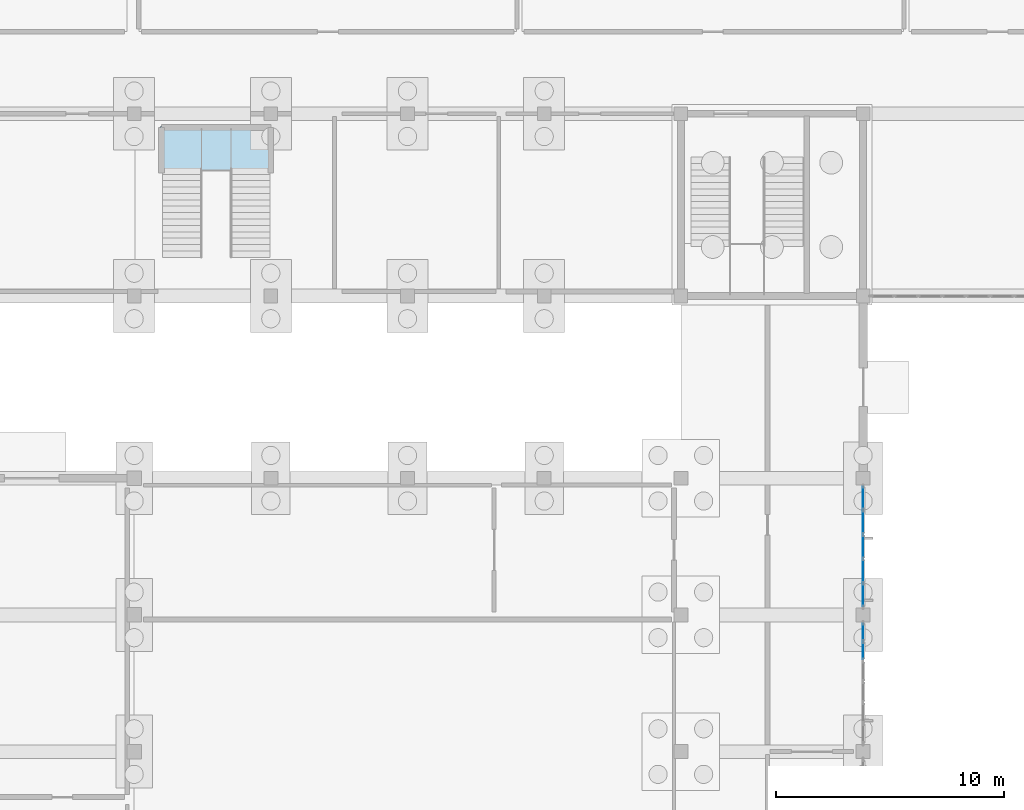
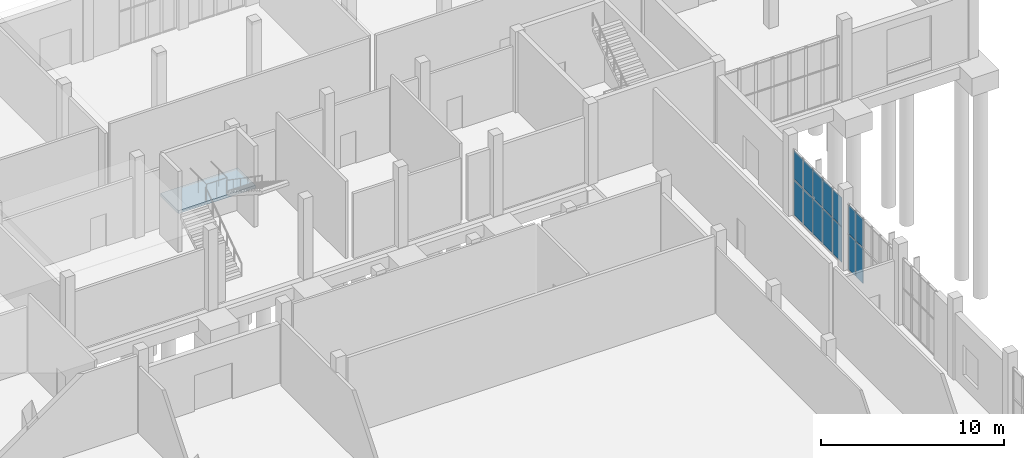
# One storey, part 36 of 69: 14 plates, 1 slab, 3 elements without a shape of their own.
"""IFC4 building model written with IfcOpenShell, lengths in metres."""

from ifc_helpers import new_model, si_unit, direction, frame, origin, origin_2d, place, context, subcontext, project, spatial, polyline, rectangle, outline, extrude, material, layer, layer_set, type_object, element, aggregate, save


model = new_model("IFC4")

# Units and contexts
model_context = context("Model", 3, precision=1e-05, world=origin(), true_north=direction((0.0, 1.0)))
body_context = subcontext(model_context, "Body", "Model", "MODEL_VIEW")
ifc_project = project(units=[si_unit("LENGTHUNIT", "METRE"), si_unit("AREAUNIT", "SQUARE_METRE"), si_unit("VOLUMEUNIT", "CUBIC_METRE"), si_unit("PLANEANGLEUNIT", "RADIAN"), si_unit("MASSUNIT", "GRAM", prefix="KILO")], contexts=[model_context])

# Site, building, storey
site_placement = place(None, origin())
site = spatial("IfcSite", under=ifc_project, at=site_placement, CompositionType="ELEMENT")
building_placement = place(site_placement, origin())
building = spatial("IfcBuilding", under=site, at=building_placement, Name="Solvane Community Centre", CompositionType="ELEMENT")
storey_placement = place(building_placement, origin())
storey = spatial("IfcBuildingStorey", under=building, at=storey_placement, Name="L00", CompositionType="ELEMENT", Elevation=0.0)

# Curtain wall, plates
ifc_material_1 = material(Name="Anodised bronze aluminium AW-6063 T6", Category="aluminium")
ifc_layer_1 = layer(ifc_material_1, 0.18994140625)
ifc_layer_set_1 = layer_set([ifc_layer_1], Name="Anodised bronze aluminium AW-6063 T6")
curtain_wall_type_1 = type_object("IfcCurtainWallType", Name="Boulevard Bronze Vision Curtain Wall [17x44dm]", PredefinedType="NOTDEFINED", material=ifc_layer_set_1)
curtain_wall_1_placement = place(storey_placement, origin())
curtain_wall_1 = element("IfcCurtainWall", 1, at=curtain_wall_1_placement, inside=storey, type_object=curtain_wall_type_1, Name="Curtain Wall CW-L00-680_717-016", PredefinedType="NOTDEFINED")
ifc_material_2 = material(Name="Tempered low-E double glazing", Category="glass")
ifc_layer_2 = layer(ifc_material_2, 0.028076171875)
ifc_layer_set_2 = layer_set([ifc_layer_2], Name="Tempered low-E double glazing")
plate_type_1 = type_object("IfcPlateType", Name="Low-E Vision Glazing Panel 28mm [17x44dm]", PredefinedType="CURTAIN_PANEL", material=ifc_layer_set_2)
plate_1_placement = place(storey_placement, frame((68.0, 71.2451171875, 0.06005859375), z_axis=(0.0, 0.0, 1.0), x_axis=(0.0, -1.0, 0.0)))
plate_1 = element("IfcPlate", 2, at=plate_1_placement, type_object=plate_type_1, Name="CW02-17x44 panel 1.1", PredefinedType="CURTAIN_PANEL", context=body_context, shape_type="SweptSolid", body=[
    extrude(rectangle(XDim=0.75, YDim=0.028076171875, at=origin_2d()), origin(), (0.0, 0.0, 1.0), 2.343994140625),
])
plate_2_placement = place(storey_placement, frame((68.0, 71.2451171875, 2.464111328125), z_axis=(0.0, 0.0, 1.0), x_axis=(0.0, -1.0, 0.0)))
plate_2 = element("IfcPlate", 3, at=plate_2_placement, type_object=plate_type_1, Name="CW02-17x44 panel 1.2", PredefinedType="CURTAIN_PANEL", context=body_context, shape_type="SweptSolid", body=[
    extrude(rectangle(XDim=0.75, YDim=0.028076171875, at=origin_2d()), origin(), (0.0, 0.0, 1.0), 1.90087890625),
])
plate_3_placement = place(storey_placement, frame((68.0, 70.43505859375, 0.06005859375), z_axis=(0.0, 0.0, 1.0), x_axis=(0.0, -1.0, 0.0)))
plate_3 = element("IfcPlate", 4, at=plate_3_placement, type_object=plate_type_1, Name="CW02-17x44 panel 2.1", PredefinedType="CURTAIN_PANEL", context=body_context, shape_type="SweptSolid", body=[
    extrude(rectangle(XDim=0.75, YDim=0.028076171875, at=origin_2d()), origin(), (0.0, 0.0, 1.0), 2.343994140625),
])
plate_4_placement = place(storey_placement, frame((68.0, 70.43505859375, 2.464111328125), z_axis=(0.0, 0.0, 1.0), x_axis=(0.0, -1.0, 0.0)))
plate_4 = element("IfcPlate", 5, at=plate_4_placement, type_object=plate_type_1, Name="CW02-17x44 panel 2.2", PredefinedType="CURTAIN_PANEL", context=body_context, shape_type="SweptSolid", body=[
    extrude(rectangle(XDim=0.75, YDim=0.028076171875, at=origin_2d()), origin(), (0.0, 0.0, 1.0), 1.90087890625),
])
aggregate(curtain_wall_1, [plate_1, plate_2, plate_3, plate_4])

ifc_layer_3 = layer(ifc_material_1, 0.18994140625)
ifc_layer_set_3 = layer_set([ifc_layer_3], Name="Anodised bronze aluminium AW-6063 T6")
curtain_wall_type_2 = type_object("IfcCurtainWallType", Name="Boulevard Bronze Vision Curtain Wall [54x44dm]", PredefinedType="NOTDEFINED", material=ifc_layer_set_3)
curtain_wall_2_placement = place(storey_placement, origin())
curtain_wall_2 = element("IfcCurtainWall", 6, at=curtain_wall_2_placement, inside=storey, type_object=curtain_wall_type_2, Name="Curtain Wall CW-L00-680_777-015", PredefinedType="NOTDEFINED")
ifc_layer_4 = layer(ifc_material_2, 0.028076171875)
ifc_layer_set_4 = layer_set([ifc_layer_4], Name="Tempered low-E double glazing")
plate_type_2 = type_object("IfcPlateType", Name="Low-E Vision Glazing Panel 28mm [54x44dm]", PredefinedType="CURTAIN_PANEL", material=ifc_layer_set_4)
plate_5_placement = place(storey_placement, frame((68.0, 77.12890625, 0.06005859375), z_axis=(0.0, 0.0, 1.0), x_axis=(0.0, -1.0, 0.0)))
plate_5 = element("IfcPlate", 7, at=plate_5_placement, type_object=plate_type_2, Name="CW02-54x44 panel 1.1", PredefinedType="CURTAIN_PANEL", context=body_context, shape_type="SweptSolid", body=[
    extrude(rectangle(XDim=0.98193359375, YDim=0.028076171875, at=origin_2d()), origin(), (0.0, 0.0, 1.0), 2.343994140625),
])
plate_6_placement = place(storey_placement, frame((68.0, 77.12890625, 2.464111328125), z_axis=(0.0, 0.0, 1.0), x_axis=(0.0, -1.0, 0.0)))
plate_6 = element("IfcPlate", 8, at=plate_6_placement, type_object=plate_type_2, Name="CW02-54x44 panel 1.2", PredefinedType="CURTAIN_PANEL", context=body_context, shape_type="SweptSolid", body=[
    extrude(rectangle(XDim=0.98193359375, YDim=0.028076171875, at=origin_2d()), origin(), (0.0, 0.0, 1.0), 1.90087890625),
])
plate_7_placement = place(storey_placement, frame((68.0, 76.072021484375, 0.06005859375), z_axis=(0.0, 0.0, 1.0), x_axis=(0.0, -1.0, 0.0)))
plate_7 = element("IfcPlate", 9, at=plate_7_placement, type_object=plate_type_2, Name="CW02-54x44 panel 2.1", PredefinedType="CURTAIN_PANEL", context=body_context, shape_type="SweptSolid", body=[
    extrude(rectangle(XDim=1.011962890625, YDim=0.028076171875, at=origin_2d()), origin(), (0.0, 0.0, 1.0), 2.343994140625),
])
plate_8_placement = place(storey_placement, frame((68.0, 76.072021484375, 2.464111328125), z_axis=(0.0, 0.0, 1.0), x_axis=(0.0, -1.0, 0.0)))
plate_8 = element("IfcPlate", 10, at=plate_8_placement, type_object=plate_type_2, Name="CW02-54x44 panel 2.2", PredefinedType="CURTAIN_PANEL", context=body_context, shape_type="SweptSolid", body=[
    extrude(rectangle(XDim=1.011962890625, YDim=0.028076171875, at=origin_2d()), origin(), (0.0, 0.0, 1.0), 1.90087890625),
])
plate_9_placement = place(storey_placement, frame((68.0, 75.0, 0.06005859375), z_axis=(0.0, 0.0, 1.0), x_axis=(0.0, -1.0, 0.0)))
plate_9 = element("IfcPlate", 11, at=plate_9_placement, type_object=plate_type_2, Name="CW02-54x44 panel 3.1", PredefinedType="CURTAIN_PANEL", context=body_context, shape_type="SweptSolid", body=[
    extrude(rectangle(XDim=1.011962890625, YDim=0.028076171875, at=origin_2d()), origin(), (0.0, 0.0, 1.0), 2.343994140625),
])
plate_10_placement = place(storey_placement, frame((68.0, 75.0, 2.464111328125), z_axis=(0.0, 0.0, 1.0), x_axis=(0.0, -1.0, 0.0)))
plate_10 = element("IfcPlate", 12, at=plate_10_placement, type_object=plate_type_2, Name="CW02-54x44 panel 3.2", PredefinedType="CURTAIN_PANEL", context=body_context, shape_type="SweptSolid", body=[
    extrude(rectangle(XDim=1.011962890625, YDim=0.028076171875, at=origin_2d()), origin(), (0.0, 0.0, 1.0), 1.90087890625),
])
plate_11_placement = place(storey_placement, frame((68.0, 73.927978515625, 0.06005859375), z_axis=(0.0, 0.0, 1.0), x_axis=(0.0, -1.0, 0.0)))
plate_11 = element("IfcPlate", 13, at=plate_11_placement, type_object=plate_type_2, Name="CW02-54x44 panel 4.1", PredefinedType="CURTAIN_PANEL", context=body_context, shape_type="SweptSolid", body=[
    extrude(rectangle(XDim=1.011962890625, YDim=0.028076171875, at=origin_2d()), origin(), (0.0, 0.0, 1.0), 2.343994140625),
])
plate_12_placement = place(storey_placement, frame((68.0, 73.927978515625, 2.464111328125), z_axis=(0.0, 0.0, 1.0), x_axis=(0.0, -1.0, 0.0)))
plate_12 = element("IfcPlate", 14, at=plate_12_placement, type_object=plate_type_2, Name="CW02-54x44 panel 4.2", PredefinedType="CURTAIN_PANEL", context=body_context, shape_type="SweptSolid", body=[
    extrude(rectangle(XDim=1.011962890625, YDim=0.028076171875, at=origin_2d()), origin(), (0.0, 0.0, 1.0), 1.90087890625),
])
plate_13_placement = place(storey_placement, frame((68.0, 72.87109375, 0.06005859375), z_axis=(0.0, 0.0, 1.0), x_axis=(0.0, -1.0, 0.0)))
plate_13 = element("IfcPlate", 15, at=plate_13_placement, type_object=plate_type_2, Name="CW02-54x44 panel 5.1", PredefinedType="CURTAIN_PANEL", context=body_context, shape_type="SweptSolid", body=[
    extrude(rectangle(XDim=0.98193359375, YDim=0.028076171875, at=origin_2d()), origin(), (0.0, 0.0, 1.0), 2.343994140625),
])
plate_14_placement = place(storey_placement, frame((68.0, 72.87109375, 2.464111328125), z_axis=(0.0, 0.0, 1.0), x_axis=(0.0, -1.0, 0.0)))
plate_14 = element("IfcPlate", 16, at=plate_14_placement, type_object=plate_type_2, Name="CW02-54x44 panel 5.2", PredefinedType="CURTAIN_PANEL", context=body_context, shape_type="SweptSolid", body=[
    extrude(rectangle(XDim=0.98193359375, YDim=0.028076171875, at=origin_2d()), origin(), (0.0, 0.0, 1.0), 1.90087890625),
])
aggregate(curtain_wall_2, [plate_5, plate_6, plate_7, plate_8, plate_9, plate_10, plate_11, plate_12, plate_13, plate_14])

# Stair, slab
ifc_material_3 = material(Name="Concrete C35/45", Category="concrete")
stair_type = type_object("IfcStairType", Name="RC Two-Flight Escape Stair 1720mm", PredefinedType="TWO_STRAIGHT_RUN_STAIR", material=ifc_material_3)
stair_placement = place(storey_placement, origin())
stair = element("IfcStair", 17, at=stair_placement, inside=storey, type_object=stair_type, Name="Stair STR-NUR-L00", PredefinedType="TWO_STRAIGHT_RUN_STAIR")
ifc_layer_5 = layer(ifc_material_3, 0.199951171875)
ifc_layer_set_5 = layer_set([ifc_layer_5], Name="Concrete C35/45")
slab_type = type_object("IfcSlabType", Name="RC Stair Half-Landing Slab 200mm", PredefinedType="LANDING", material=ifc_layer_set_5)
slab_placement = place(storey_placement, frame((0.0, 0.0, 2.5)))
slab = element("IfcSlab", 18, at=slab_placement, type_object=slab_type, Name="ST-12 landing 1", PredefinedType="LANDING", context=body_context, shape_type="SweptSolid", body=[
    extrude(outline(polyline([(37.159912109375, 91.5), (42.0400390625, 91.5), (42.0400390625, 93.43994140625), (37.159912109375, 93.43994140625), (37.159912109375, 91.5)])), origin(), (0.0, 0.0, 1.0), 0.199951171875),
])
aggregate(stair, [slab])

save(model, "model.ifc")
